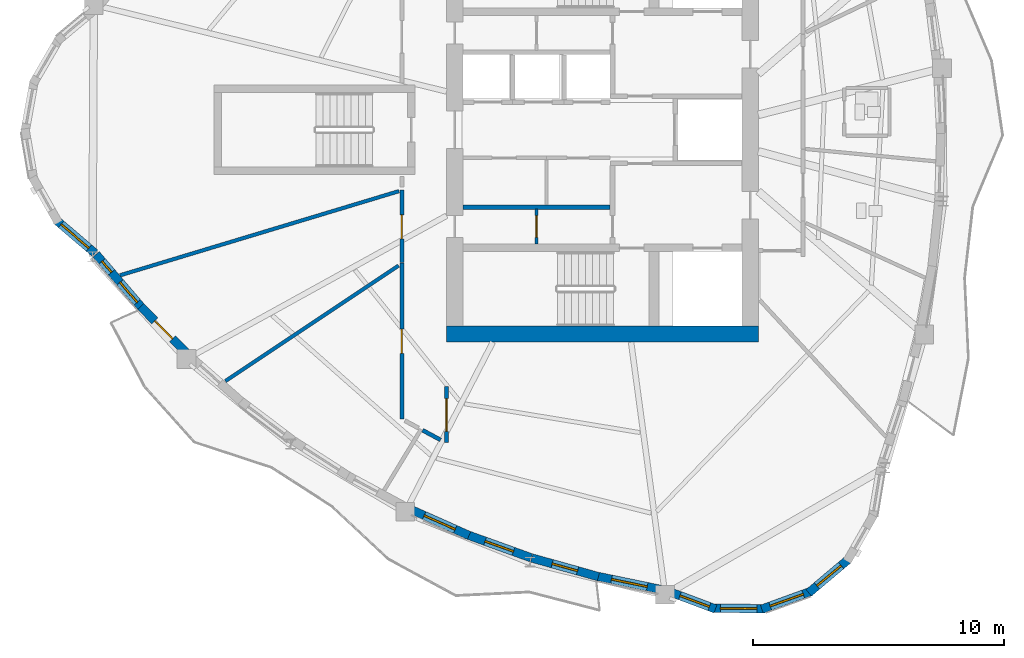
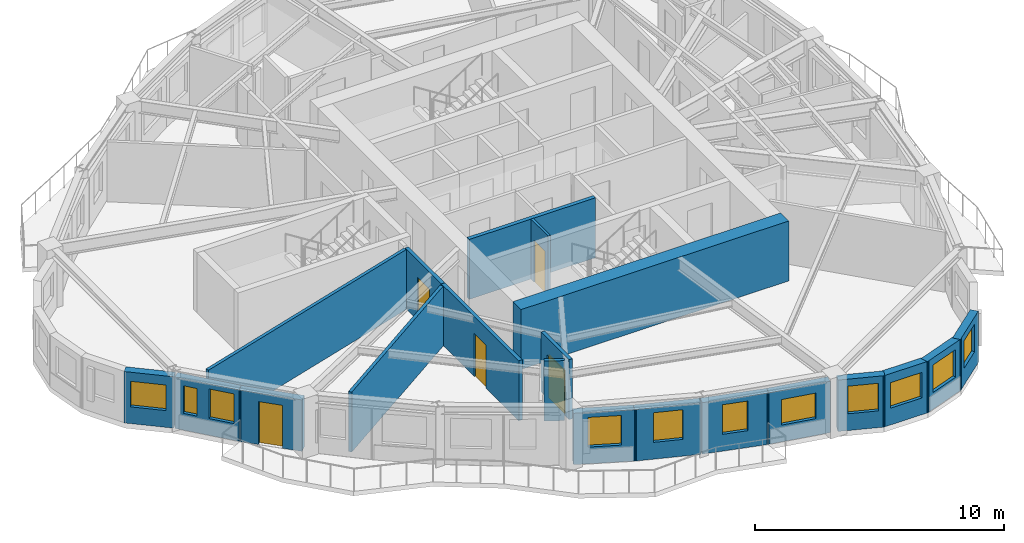
# One storey, part 3 of 12: 20 walls, 11 windows, 5 doors, 16 openings.
"""IFC4 building model written with IfcOpenShell, lengths in metres."""

from ifc_helpers import new_model, si_unit, direction, frame, frame_2d, origin, place, context, subcontext, project, spatial, rectangle, extrude, source, transform, mapped, material, layer, layer_set, type_object, element, fill, save


model = new_model("IFC4")

# Units and contexts
model_context = context("Model", 3, precision=1e-05, world=origin(), true_north=direction((0.0, 1.0)))
body_context = subcontext(model_context, "Body", "Model", "MODEL_VIEW")
ifc_project = project(units=[si_unit("LENGTHUNIT", "METRE"), si_unit("AREAUNIT", "SQUARE_METRE"), si_unit("VOLUMEUNIT", "CUBIC_METRE"), si_unit("PLANEANGLEUNIT", "RADIAN"), si_unit("MASSUNIT", "GRAM", prefix="KILO")], contexts=[model_context])

# Site, building, storey
site_placement = place(None, origin())
site = spatial("IfcSite", under=ifc_project, at=site_placement, CompositionType="ELEMENT")
building_placement = place(site_placement, origin())
building = spatial("IfcBuilding", under=site, at=building_placement, Name="Qafzar Sky-Pleat Residences", CompositionType="ELEMENT")
storey_placement = place(building_placement, frame((0.0, 0.0, 149.0)))
storey = spatial("IfcBuildingStorey", under=building, at=storey_placement, Name="L44", CompositionType="ELEMENT", Elevation=149.0)

# Wall, opening, door
ifc_material_1 = material(Name="Acoustic gypsum plasterboard partition", Category="gypsum")
ifc_layer_1 = layer(ifc_material_1, 0.159912109375)
ifc_layer_set_1 = layer_set([ifc_layer_1], Name="Acoustic gypsum plasterboard partition")
wall_type_1 = type_object("IfcWallType", Name="PART-COR-160", PredefinedType="PARTITIONING", material=ifc_layer_set_1)
wall_1_placement = place(storey_placement, frame((22.3701171875, 14.49609375, 0.0), z_axis=(0.0, 0.0, 1.0), x_axis=(0.0, 1.0, 0.0)))
wall_1 = element("IfcWall", 1, at=wall_1_placement, inside=storey, type_object=wall_type_1, Name="L44 Partition Wall PART-L44-PW-001", PredefinedType="PARTITIONING", context=body_context, shape_type="SweptSolid", body=[
    extrude(rectangle(XDim=6.202880859375, YDim=0.159912109375, at=frame_2d((3.1015625, 0.0))), origin(), (0.0, 0.0, 1.0), 2.93505859375),
])
opening_1_placement = place(wall_1_placement, frame((2.612548828125, 0.0, 0.0)))
opening_1 = element("IfcOpeningElement", 2, at=opening_1_placement, cuts=wall_1, Name="Opening ID-06", PredefinedType="OPENING", context=body_context, shape_type="SweptSolid", body=[
    extrude(rectangle(XDim=0.9599609375, YDim=2.10009765625, at=frame_2d((0.47998046875, 1.050048828125))), frame((0.0, 0.08984375, 0.0), z_axis=(0.0, -1.0, 0.0), x_axis=(1.0, 0.0, 0.0)), (0.0, 0.0, 1.0), 0.179931640625),
])
ifc_material_2 = material(Name="Timber-faced fire door", Category="wood")
door_type_1 = type_object("IfcDoorType", Name="DR-STD-960", OperationType="NOTDEFINED", PredefinedType="DOOR", material=ifc_material_2)
shared_shape_1 = source(origin(), body_context, "Body", "SweptSolid", [
    extrude(rectangle(XDim=0.9599609375, YDim=2.10009765625, at=frame_2d((0.47998046875, 1.050048828125))), frame((0.0, 0.02490234375, 0.0), z_axis=(0.0, -1.0, 0.0), x_axis=(1.0, 0.0, 0.0)), (0.0, 0.0, 1.0), 0.050048828125),
])
door_1_placement = place(opening_1_placement, origin())
door_1 = element("IfcDoor", 3, at=door_1_placement, inside=storey, type_object=door_type_1, Name="L44 Wellness Yoga Studio Door", OperationType="SINGLE_SWING_LEFT", OverallHeight=2.10009765625, OverallWidth=0.9599609375, PredefinedType="DOOR", context=body_context, shape_type="MappedRepresentation", body=[
    mapped(shared_shape_1, transform((0.0, 0.0, 0.0), x_axis=(1.0, 0.0, 0.0), y_axis=(0.0, 1.0, 0.0), z_axis=(0.0, 0.0, 1.0), scale=1.0)),
])
fill(opening_1, door_1)

wall_2_placement = place(storey_placement, frame((22.3701171875, 20.714111328125, 0.0), z_axis=(0.0, 0.0, 1.0), x_axis=(0.0, 1.0, 0.0)))
wall_2 = element("IfcWall", 4, at=wall_2_placement, inside=storey, type_object=wall_type_1, Name="L44 Partition Wall PART-L44-PW-008", PredefinedType="PARTITIONING", context=body_context, shape_type="SweptSolid", body=[
    extrude(rectangle(XDim=2.893798828125, YDim=0.159912109375, at=frame_2d((1.44677734375, 0.0))), origin(), (0.0, 0.0, 1.0), 2.93505859375),
])
opening_2_placement = place(wall_2_placement, frame((0.9423828125, 0.0, 0.0)))
opening_2 = element("IfcOpeningElement", 5, at=opening_2_placement, cuts=wall_2, Name="Opening ID-06", PredefinedType="OPENING", context=body_context, shape_type="SweptSolid", body=[
    extrude(rectangle(XDim=0.9599609375, YDim=2.10009765625, at=frame_2d((0.47998046875, 1.050048828125))), frame((0.0, 0.08984375, 0.0), z_axis=(0.0, -1.0, 0.0), x_axis=(1.0, 0.0, 0.0)), (0.0, 0.0, 1.0), 0.179931640625),
])
door_2_placement = place(opening_2_placement, origin())
door_2 = element("IfcDoor", 6, at=door_2_placement, inside=storey, type_object=door_type_1, Name="L44 Faculty Research Office Door", OperationType="SINGLE_SWING_RIGHT", OverallHeight=2.10009765625, OverallWidth=0.9599609375, PredefinedType="DOOR", context=body_context, shape_type="MappedRepresentation", body=[
    mapped(shared_shape_1, transform((0.0, 0.0, 0.0), x_axis=(1.0, 0.0, 0.0), y_axis=(0.0, 1.0, 0.0), z_axis=(0.0, 0.0, 1.0), scale=1.0)),
])
fill(opening_2, door_2)

wall_3_placement = place(storey_placement, frame((24.14990234375, 15.7880859375, 0.0), z_axis=(0.0, 0.0, 1.0), x_axis=(0.0, -1.0, 0.0)))
wall_3 = element("IfcWall", 7, at=wall_3_placement, inside=storey, type_object=wall_type_1, Name="L44 Partition Wall PART-L44-PW-011", PredefinedType="PARTITIONING", context=body_context, shape_type="SweptSolid", body=[
    extrude(rectangle(XDim=2.231201171875, YDim=0.159912109375, at=frame_2d((1.11572265625, 0.0))), origin(), (0.0, 0.0, 1.0), 2.93505859375),
])
opening_3_placement = place(wall_3_placement, frame((0.47998046875, 0.0, 0.0)))
opening_3 = element("IfcOpeningElement", 8, at=opening_3_placement, cuts=wall_3, Name="Opening ID-05", PredefinedType="OPENING", context=body_context, shape_type="SweptSolid", body=[
    extrude(rectangle(XDim=1.300048828125, YDim=2.10009765625, at=frame_2d((0.64990234375, 1.050048828125))), frame((0.0, 0.08984375, 0.0), z_axis=(0.0, -1.0, 0.0), x_axis=(1.0, 0.0, 0.0)), (0.0, 0.0, 1.0), 0.179931640625),
])
door_type_2 = type_object("IfcDoorType", Name="DR-LNG-1300", OperationType="DOUBLE_DOOR_SINGLE_SWING", PredefinedType="DOOR", material=ifc_material_2)
shared_shape_2 = source(origin(), body_context, "Body", "SweptSolid", [
    extrude(rectangle(XDim=1.300048828125, YDim=2.10009765625, at=frame_2d((0.64990234375, 1.050048828125))), frame((0.0, 0.02490234375, 0.0), z_axis=(0.0, -1.0, 0.0), x_axis=(1.0, 0.0, 0.0)), (0.0, 0.0, 1.0), 0.050048828125),
])
door_3_placement = place(opening_3_placement, origin())
door_3 = element("IfcDoor", 9, at=door_3_placement, inside=storey, type_object=door_type_2, Name="L44 Academic Seminar Room Door", OperationType="DOUBLE_DOOR_SINGLE_SWING", OverallHeight=2.10009765625, OverallWidth=1.300048828125, PredefinedType="DOOR", context=body_context, shape_type="MappedRepresentation", body=[
    mapped(shared_shape_2, transform((0.0, 0.0, 0.0), x_axis=(1.0, 0.0, 0.0), y_axis=(0.0, 1.0, 0.0), z_axis=(0.0, 0.0, 1.0), scale=1.0)),
])
fill(opening_3, door_3)

# Walls
wall_4_placement = place(storey_placement, frame((23.1962890625, 14.0498046875, 0.0), z_axis=(0.0, 0.0, 1.0), x_axis=(0.880125284311, -0.474741491673, 0.0)))
element("IfcWall", 10, at=wall_4_placement, inside=storey, type_object=wall_type_1, Name="L44 Partition Wall PART-L44-PW-040", PredefinedType="PARTITIONING", context=body_context, shape_type="SweptSolid", body=[
    extrude(rectangle(XDim=0.816650390625, YDim=0.159912109375, at=frame_2d((0.408203125, 0.0))), origin(), (0.0, 0.0, 1.0), 2.93505859375),
])
ifc_material_3 = material(Name="Concrete blockwork partition", Category="masonry")
ifc_layer_2 = layer(ifc_material_3, 0.179931640625)
ifc_layer_set_2 = layer_set([ifc_layer_2], Name="Concrete blockwork partition")
wall_type_2 = type_object("IfcWallType", Name="PART-SHAFT-180", PredefinedType="PARTITIONING", material=ifc_layer_set_2)
wall_5_placement = place(storey_placement, frame((24.81005859375, 22.919921875, 0.0), z_axis=(0.0, 0.0, 1.0), x_axis=(1.0, 0.0, 0.0)))
element("IfcWall", 11, at=wall_5_placement, inside=storey, type_object=wall_type_2, Name="L44 Partition Wall PART-L44-P13-S", PredefinedType="PARTITIONING", context=body_context, shape_type="SweptSolid", body=[
    extrude(rectangle(XDim=5.83984375, YDim=0.179931640625, at=frame_2d((2.919921875, 0.0))), origin(), (0.0, 0.0, 1.0), 2.93505859375),
])

# Wall, opening, door
ifc_material_4 = material(Name="Gypsum plasterboard partition", Category="gypsum")
ifc_layer_3 = layer(ifc_material_4, 0.114990234375)
ifc_layer_set_3 = layer_set([ifc_layer_3], Name="Gypsum plasterboard partition")
wall_type_3 = type_object("IfcWallType", Name="PART-SVC-115", PredefinedType="PARTITIONING", material=ifc_layer_set_3)
wall_6_placement = place(storey_placement, frame((27.72509765625, 21.4599609375, 0.0), z_axis=(0.0, 0.0, 1.0), x_axis=(0.0, 1.0, 0.0)))
wall_6 = element("IfcWall", 12, at=wall_6_placement, inside=storey, type_object=wall_type_3, Name="L44 Partition Wall PART-L44-KB-SW", PredefinedType="PARTITIONING", context=body_context, shape_type="SweptSolid", body=[
    extrude(rectangle(XDim=1.380126953125, YDim=0.114990234375, at=frame_2d((0.68994140625, 0.0))), origin(), (0.0, 0.0, 1.0), 2.93505859375),
])
opening_4_placement = place(wall_6_placement, frame((0.260009765625, 0.0, 0.0)))
opening_4 = element("IfcOpeningElement", 13, at=opening_4_placement, cuts=wall_6, Name="Opening ID-09", PredefinedType="OPENING", context=body_context, shape_type="SweptSolid", body=[
    extrude(rectangle(XDim=0.860107421875, YDim=2.050048828125, at=frame_2d((0.43017578125, 1.02490234375))), frame((0.0, 0.0673828125, 0.0), z_axis=(0.0, -1.0, 0.0), x_axis=(1.0, 0.0, 0.0)), (0.0, 0.0, 1.0), 0.135009765625),
])
door_type_3 = type_object("IfcDoorType", Name="DR-SVC-860", OperationType="NOTDEFINED", PredefinedType="DOOR", material=ifc_material_2)
shared_shape_3 = source(origin(), body_context, "Body", "SweptSolid", [
    extrude(rectangle(XDim=0.860107421875, YDim=2.050048828125, at=frame_2d((0.43017578125, 1.02490234375))), frame((0.0, 0.02490234375, 0.0), z_axis=(0.0, -1.0, 0.0), x_axis=(1.0, 0.0, 0.0)), (0.0, 0.0, 1.0), 0.050048828125),
])
door_4_placement = place(opening_4_placement, origin())
door_4 = element("IfcDoor", 14, at=door_4_placement, inside=storey, type_object=door_type_3, Name="L44 BMS Metering Cupboard Door", OperationType="SINGLE_SWING_LEFT", OverallHeight=2.050048828125, OverallWidth=0.860107421875, PredefinedType="DOOR", context=body_context, shape_type="MappedRepresentation", body=[
    mapped(shared_shape_3, transform((0.0, 0.0, 0.0), x_axis=(1.0, 0.0, 0.0), y_axis=(0.0, 1.0, 0.0), z_axis=(0.0, 0.0, 1.0), scale=1.0)),
])
fill(opening_4, door_4)

# Walls
ifc_layer_4 = layer(ifc_material_1, 0.14501953125)
ifc_layer_set_4 = layer_set([ifc_layer_4], Name="Acoustic gypsum plasterboard partition")
wall_type_4 = type_object("IfcWallType", Name="PART-UNIT-145", PredefinedType="PARTITIONING", material=ifc_layer_set_4)
wall_7_placement = place(storey_placement, frame((11.165283203125, 20.210693359375, 0.0), z_axis=(0.0, 0.0, 1.0), x_axis=(0.957361241888, 0.288893496865, 0.0)))
element("IfcWall", 15, at=wall_7_placement, inside=storey, type_object=wall_type_4, Name="L44 Partition Wall PART-L44-PW-015", PredefinedType="PARTITIONING", context=body_context, shape_type="SweptSolid", body=[
    extrude(rectangle(XDim=11.59033203125, YDim=0.14501953125, at=frame_2d((5.795166015625, 0.0))), origin(), (0.0, 0.0, 1.0), 2.93505859375),
])
wall_8_placement = place(storey_placement, frame((15.355224609375, 16.0048828125, 0.0), z_axis=(0.0, 0.0, 1.0), x_axis=(0.83207298021, 0.55466616591, 0.0)))
element("IfcWall", 16, at=wall_8_placement, inside=storey, type_object=wall_type_4, Name="L44 Partition Wall PART-L44-PW-017", PredefinedType="PARTITIONING", context=body_context, shape_type="SweptSolid", body=[
    extrude(rectangle(XDim=8.278076171875, YDim=0.14501953125, at=frame_2d((4.13916015625, 0.0))), origin(), (0.0, 0.0, 1.0), 2.93505859375),
])

# Wall, opening, window
ifc_material_5 = material(Name="Precast concrete C40/50 with honed Riyadh limestone", Category="concrete")
ifc_layer_5 = layer(ifc_material_5, 0.340087890625)
ifc_layer_set_5 = layer_set([ifc_layer_5], Name="Precast concrete C40/50 with honed Riyadh limestone")
wall_type_5 = type_object("IfcWallType", Name="WALL-EXT-340", PredefinedType="SOLIDWALL", material=ifc_layer_set_5)
wall_9_placement = place(storey_placement, frame((8.62744140625, 22.406005859375, 0.0), z_axis=(0.0, 0.0, 1.0), x_axis=(0.760379886087, -0.649478582276, 0.0)))
wall_9 = element("IfcWall", 17, at=wall_9_placement, inside=storey, type_object=wall_type_5, Name="L44 Limestone Facade Wall 6", PredefinedType="SOLIDWALL", context=body_context, shape_type="SweptSolid", body=[
    extrude(rectangle(XDim=2.023193359375, YDim=0.340087890625, at=frame_2d((1.01171875, 0.0))), origin(), (0.0, 0.0, 1.0), 2.514892578125),
])
opening_5_placement = place(wall_9_placement, frame((0.256591796875, 0.0, 0.820068359375)))
opening_5 = element("IfcOpeningElement", 18, at=opening_5_placement, cuts=wall_9, Name="Opening WN-15", PredefinedType="OPENING", context=body_context, shape_type="SweptSolid", body=[
    extrude(rectangle(XDim=1.449951171875, YDim=1.25, at=frame_2d((0.72509765625, 0.625))), frame((0.0, 0.18017578125, 0.0), z_axis=(0.0, -1.0, 0.0), x_axis=(1.0, 0.0, 0.0)), (0.0, 0.0, 1.0), 0.360107421875),
])
ifc_material_6 = material(Name="Solar-control low-E glass in bronze aluminium frame", Category="glass")
window_type_1 = type_object("IfcWindowType", Name="WIN-15", PartitioningType="SINGLE_PANEL", PredefinedType="WINDOW", material=ifc_material_6)
shared_shape_4 = source(origin(), body_context, "Body", "SweptSolid", [
    extrude(rectangle(XDim=1.449951171875, YDim=1.25, at=frame_2d((0.72509765625, 0.625))), frame((0.0, 0.030029296875, 0.0), z_axis=(0.0, -1.0, 0.0), x_axis=(1.0, 0.0, 0.0)), (0.0, 0.0, 1.0), 0.06005859375),
])
window_1_placement = place(opening_5_placement, origin())
window_1 = element("IfcWindow", 19, at=window_1_placement, inside=storey, type_object=window_type_1, Name="L44 Punched Facade Window 06", OverallHeight=1.25, OverallWidth=1.449951171875, PartitioningType="SINGLE_PANEL", PredefinedType="WINDOW", context=body_context, shape_type="MappedRepresentation", body=[
    mapped(shared_shape_4, transform((0.0, 0.0, 0.0), x_axis=(1.0, 0.0, 0.0), y_axis=(0.0, 1.0, 0.0), z_axis=(0.0, 0.0, 1.0), scale=1.0)),
])
fill(opening_5, window_1)

# Wall, openings, windows
wall_10_placement = place(storey_placement, frame((10.212646484375, 21.045166015625, 0.0), z_axis=(0.0, 0.0, 1.0), x_axis=(0.65036245252, -0.759624038819, 0.0)))
wall_10 = element("IfcWall", 20, at=wall_10_placement, inside=storey, type_object=wall_type_5, Name="L44 Limestone Facade Wall 7", PredefinedType="SOLIDWALL", context=body_context, shape_type="SweptSolid", body=[
    extrude(rectangle(XDim=2.813232421875, YDim=0.340087890625, at=frame_2d((1.40673828125, 0.0))), origin(), (0.0, 0.0, 1.0), 2.514892578125),
])
opening_6_placement = place(wall_10_placement, frame((0.362060546875, 0.0, 0.820068359375)))
opening_6 = element("IfcOpeningElement", 21, at=opening_6_placement, cuts=wall_10, Name="Opening WN-17", PredefinedType="OPENING", context=body_context, shape_type="SweptSolid", body=[
    extrude(rectangle(XDim=0.580078125, YDim=1.35009765625, at=frame_2d((0.2900390625, 0.675048828125))), frame((0.0, 0.18017578125, 0.0), z_axis=(0.0, -1.0, 0.0), x_axis=(1.0, 0.0, 0.0)), (0.0, 0.0, 1.0), 0.360107421875),
])
opening_7_placement = place(wall_10_placement, frame((1.46337890625, 0.0, 0.820068359375)))
opening_7 = element("IfcOpeningElement", 22, at=opening_7_placement, cuts=wall_10, Name="Opening WN-06", PredefinedType="OPENING", context=body_context, shape_type="SweptSolid", body=[
    extrude(rectangle(XDim=1.050048828125, YDim=1.449951171875, at=frame_2d((0.52490234375, 0.72509765625))), frame((0.0, 0.18017578125, 0.0), z_axis=(0.0, -1.0, 0.0), x_axis=(1.0, 0.0, 0.0)), (0.0, 0.0, 1.0), 0.360107421875),
])
window_type_2 = type_object("IfcWindowType", Name="WIN-17", PartitioningType="SINGLE_PANEL", PredefinedType="WINDOW", material=ifc_material_6)
shared_shape_5 = source(origin(), body_context, "Body", "SweptSolid", [
    extrude(rectangle(XDim=0.580078125, YDim=1.35009765625, at=frame_2d((0.2900390625, 0.675048828125))), frame((0.0, 0.030029296875, 0.0), z_axis=(0.0, -1.0, 0.0), x_axis=(1.0, 0.0, 0.0)), (0.0, 0.0, 1.0), 0.06005859375),
])
window_2_placement = place(opening_6_placement, origin())
window_2 = element("IfcWindow", 23, at=window_2_placement, inside=storey, type_object=window_type_2, Name="L44 Punched Facade Window 07", OverallHeight=1.35009765625, OverallWidth=0.580078125, PartitioningType="SINGLE_PANEL", PredefinedType="WINDOW", context=body_context, shape_type="MappedRepresentation", body=[
    mapped(shared_shape_5, transform((0.0, 0.0, 0.0), x_axis=(1.0, 0.0, 0.0), y_axis=(0.0, 1.0, 0.0), z_axis=(0.0, 0.0, 1.0), scale=1.0)),
])
fill(opening_6, window_2)
window_type_3 = type_object("IfcWindowType", Name="WIN-06", PartitioningType="SINGLE_PANEL", PredefinedType="WINDOW", material=ifc_material_6)
shared_shape_6 = source(origin(), body_context, "Body", "SweptSolid", [
    extrude(rectangle(XDim=1.050048828125, YDim=1.449951171875, at=frame_2d((0.52490234375, 0.72509765625))), frame((0.0, 0.030029296875, 0.0), z_axis=(0.0, -1.0, 0.0), x_axis=(1.0, 0.0, 0.0)), (0.0, 0.0, 1.0), 0.06005859375),
])
window_3_placement = place(opening_7_placement, origin())
window_3 = element("IfcWindow", 24, at=window_3_placement, inside=storey, type_object=window_type_3, Name="L44 Punched Facade Window 07-2", OverallHeight=1.449951171875, OverallWidth=1.050048828125, PartitioningType="SINGLE_PANEL", PredefinedType="WINDOW", context=body_context, shape_type="MappedRepresentation", body=[
    mapped(shared_shape_6, transform((0.0, 0.0, 0.0), x_axis=(1.0, 0.0, 0.0), y_axis=(0.0, 1.0, 0.0), z_axis=(0.0, 0.0, 1.0), scale=1.0)),
])
fill(opening_7, window_3)

# Wall, opening, door
wall_11_placement = place(storey_placement, frame((11.98291015625, 18.972900390625, 0.0), z_axis=(0.0, 0.0, 1.0), x_axis=(0.701539452628, -0.712630617084, 0.0)))
wall_11 = element("IfcWall", 25, at=wall_11_placement, inside=storey, type_object=wall_type_5, Name="L44 Limestone Facade Wall 8", PredefinedType="SOLIDWALL", context=body_context, shape_type="SweptSolid", body=[
    extrude(rectangle(XDim=2.619384765625, YDim=0.340087890625, at=frame_2d((1.3095703125, 0.0))), origin(), (0.0, 0.0, 1.0), 2.514892578125),
])
opening_8_placement = place(wall_11_placement, frame((0.809814453125, 0.0, 0.0)))
opening_8 = element("IfcOpeningElement", 26, at=opening_8_placement, cuts=wall_11, Name="Opening ED-05", PredefinedType="OPENING", context=body_context, shape_type="SweptSolid", body=[
    extrude(rectangle(XDim=1.0, YDim=2.10009765625, at=frame_2d((0.5, 1.050048828125))), frame((0.0, 0.18017578125, 0.0), z_axis=(0.0, -1.0, 0.0), x_axis=(1.0, 0.0, 0.0)), (0.0, 0.0, 1.0), 0.360107421875),
])
ifc_material_7 = material(Name="Glazed bronze aluminium door", Category="aluminium")
door_type_4 = type_object("IfcDoorType", Name="DR-BAL-1000", OperationType="NOTDEFINED", PredefinedType="DOOR", material=ifc_material_7)
shared_shape_7 = source(origin(), body_context, "Body", "SweptSolid", [
    extrude(rectangle(XDim=1.0, YDim=2.10009765625, at=frame_2d((0.5, 1.050048828125))), frame((0.0, 0.02490234375, 0.0), z_axis=(0.0, -1.0, 0.0), x_axis=(1.0, 0.0, 0.0)), (0.0, 0.0, 1.0), 0.050048828125),
])
door_5_placement = place(opening_8_placement, origin())
door_5 = element("IfcDoor", 27, at=door_5_placement, inside=storey, type_object=door_type_4, Name="L44 Glazed Balcony Door 3", OperationType="SINGLE_SWING_LEFT", OverallHeight=2.10009765625, OverallWidth=1.0, PredefinedType="DOOR", context=body_context, shape_type="MappedRepresentation", body=[
    mapped(shared_shape_7, transform((0.0, 0.0, 0.0), x_axis=(1.0, 0.0, 0.0), y_axis=(0.0, 1.0, 0.0), z_axis=(0.0, 0.0, 1.0), scale=1.0)),
])
fill(opening_8, door_5)

# Wall, opening, window
wall_12_placement = place(storey_placement, frame((22.72021484375, 10.898681640625, 0.0), z_axis=(0.0, 0.0, 1.0), x_axis=(0.913229052506, -0.407446558041, 0.0)))
wall_12 = element("IfcWall", 28, at=wall_12_placement, inside=storey, type_object=wall_type_5, Name="L44 Limestone Facade Wall 13", PredefinedType="SOLIDWALL", context=body_context, shape_type="SweptSolid", body=[
    extrude(rectangle(XDim=2.544677734375, YDim=0.340087890625, at=frame_2d((1.2724609375, 0.0))), origin(), (0.0, 0.0, 1.0), 2.514892578125),
])
opening_9_placement = place(wall_12_placement, frame((0.59228515625, 0.0, 0.820068359375)))
opening_9 = element("IfcOpeningElement", 29, at=opening_9_placement, cuts=wall_12, Name="Opening WN-04", PredefinedType="OPENING", context=body_context, shape_type="SweptSolid", body=[
    extrude(rectangle(XDim=1.35009765625, YDim=1.449951171875, at=frame_2d((0.675048828125, 0.72509765625))), frame((0.0, 0.18017578125, 0.0), z_axis=(0.0, -1.0, 0.0), x_axis=(1.0, 0.0, 0.0)), (0.0, 0.0, 1.0), 0.360107421875),
])
window_type_4 = type_object("IfcWindowType", Name="WIN-04", PartitioningType="SINGLE_PANEL", PredefinedType="WINDOW", material=ifc_material_6)
shared_shape_8 = source(origin(), body_context, "Body", "SweptSolid", [
    extrude(rectangle(XDim=1.35009765625, YDim=1.449951171875, at=frame_2d((0.675048828125, 0.72509765625))), frame((0.0, 0.030029296875, 0.0), z_axis=(0.0, -1.0, 0.0), x_axis=(1.0, 0.0, 0.0)), (0.0, 0.0, 1.0), 0.06005859375),
])
window_4_placement = place(opening_9_placement, origin())
window_4 = element("IfcWindow", 30, at=window_4_placement, inside=storey, type_object=window_type_4, Name="L44 Punched Facade Window 13", OverallHeight=1.449951171875, OverallWidth=1.35009765625, PartitioningType="SINGLE_PANEL", PredefinedType="WINDOW", context=body_context, shape_type="MappedRepresentation", body=[
    mapped(shared_shape_8, transform((0.0, 0.0, 0.0), x_axis=(1.0, 0.0, 0.0), y_axis=(0.0, 1.0, 0.0), z_axis=(0.0, 0.0, 1.0), scale=1.0)),
])
fill(opening_9, window_4)

wall_13_placement = place(storey_placement, frame((24.9619140625, 9.894775390625, 0.0), z_axis=(0.0, 0.0, 1.0), x_axis=(0.940882818042, -0.338732228632, 0.0)))
wall_13 = element("IfcWall", 31, at=wall_13_placement, inside=storey, type_object=wall_type_5, Name="L44 Limestone Facade Wall 14", PredefinedType="SOLIDWALL", context=body_context, shape_type="SweptSolid", body=[
    extrude(rectangle(XDim=2.7099609375, YDim=0.340087890625, at=frame_2d((1.35498046875, 0.0))), origin(), (0.0, 0.0, 1.0), 2.514892578125),
])
opening_10_placement = place(wall_13_placement, frame((0.764892578125, 0.0, 0.820068359375)))
opening_10 = element("IfcOpeningElement", 32, at=opening_10_placement, cuts=wall_13, Name="Opening WN-05", PredefinedType="OPENING", context=body_context, shape_type="SweptSolid", body=[
    extrude(rectangle(XDim=1.199951171875, YDim=1.449951171875, at=frame_2d((0.60009765625, 0.72509765625))), frame((0.0, 0.18017578125, 0.0), z_axis=(0.0, -1.0, 0.0), x_axis=(1.0, 0.0, 0.0)), (0.0, 0.0, 1.0), 0.360107421875),
])
window_type_5 = type_object("IfcWindowType", Name="WIN-05", PartitioningType="SINGLE_PANEL", PredefinedType="WINDOW", material=ifc_material_6)
shared_shape_9 = source(origin(), body_context, "Body", "SweptSolid", [
    extrude(rectangle(XDim=1.199951171875, YDim=1.449951171875, at=frame_2d((0.60009765625, 0.72509765625))), frame((0.0, 0.030029296875, 0.0), z_axis=(0.0, -1.0, 0.0), x_axis=(1.0, 0.0, 0.0)), (0.0, 0.0, 1.0), 0.06005859375),
])
window_5_placement = place(opening_10_placement, origin())
window_5 = element("IfcWindow", 33, at=window_5_placement, inside=storey, type_object=window_type_5, Name="L44 Punched Facade Window 14", OverallHeight=1.449951171875, OverallWidth=1.199951171875, PartitioningType="SINGLE_PANEL", PredefinedType="WINDOW", context=body_context, shape_type="MappedRepresentation", body=[
    mapped(shared_shape_9, transform((0.0, 0.0, 0.0), x_axis=(1.0, 0.0, 0.0), y_axis=(0.0, 1.0, 0.0), z_axis=(0.0, 0.0, 1.0), scale=1.0)),
])
fill(opening_10, window_5)

wall_14_placement = place(storey_placement, frame((27.5380859375, 8.968505859375, 0.0), z_axis=(0.0, 0.0, 1.0), x_axis=(0.962899562324, -0.2698600246, 0.0)))
wall_14 = element("IfcWall", 34, at=wall_14_placement, inside=storey, type_object=wall_type_5, Name="L44 Limestone Facade Wall 15", PredefinedType="SOLIDWALL", context=body_context, shape_type="SweptSolid", body=[
    extrude(rectangle(XDim=2.7548828125, YDim=0.340087890625, at=frame_2d((1.37744140625, 0.0))), origin(), (0.0, 0.0, 1.0), 2.514892578125),
])
opening_11_placement = place(wall_14_placement, frame((0.84228515625, 0.0, 0.820068359375)))
opening_11 = element("IfcOpeningElement", 35, at=opening_11_placement, cuts=wall_14, Name="Opening WN-06", PredefinedType="OPENING", context=body_context, shape_type="SweptSolid", body=[
    extrude(rectangle(XDim=1.050048828125, YDim=1.449951171875, at=frame_2d((0.52490234375, 0.72509765625))), frame((0.0, 0.18017578125, 0.0), z_axis=(0.0, -1.0, 0.0), x_axis=(1.0, 0.0, 0.0)), (0.0, 0.0, 1.0), 0.360107421875),
])
window_6_placement = place(opening_11_placement, origin())
window_6 = element("IfcWindow", 36, at=window_6_placement, inside=storey, type_object=window_type_3, Name="L44 Punched Facade Window 15", OverallHeight=1.449951171875, OverallWidth=1.050048828125, PartitioningType="SINGLE_PANEL", PredefinedType="WINDOW", context=body_context, shape_type="MappedRepresentation", body=[
    mapped(shared_shape_6, transform((0.0, 0.0, 0.0), x_axis=(1.0, 0.0, 0.0), y_axis=(0.0, 1.0, 0.0), z_axis=(0.0, 0.0, 1.0), scale=1.0)),
])
fill(opening_11, window_6)

wall_15_placement = place(storey_placement, frame((30.105224609375, 8.245849609375, 0.0), z_axis=(0.0, 0.0, 1.0), x_axis=(0.979327098925, -0.202283052454, 0.0)))
wall_15 = element("IfcWall", 37, at=wall_15_placement, inside=storey, type_object=wall_type_5, Name="L44 Limestone Facade Wall 16", PredefinedType="SOLIDWALL", context=body_context, shape_type="SweptSolid", body=[
    extrude(rectangle(XDim=2.67822265625, YDim=0.340087890625, at=frame_2d((1.339111328125, 0.0))), origin(), (0.0, 0.0, 1.0), 2.514892578125),
])
opening_12_placement = place(wall_15_placement, frame((0.619140625, 0.0, 0.820068359375)))
opening_12 = element("IfcOpeningElement", 38, at=opening_12_placement, cuts=wall_15, Name="Opening WN-15", PredefinedType="OPENING", context=body_context, shape_type="SweptSolid", body=[
    extrude(rectangle(XDim=1.449951171875, YDim=1.25, at=frame_2d((0.72509765625, 0.625))), frame((0.0, 0.18017578125, 0.0), z_axis=(0.0, -1.0, 0.0), x_axis=(1.0, 0.0, 0.0)), (0.0, 0.0, 1.0), 0.360107421875),
])
window_7_placement = place(opening_12_placement, origin())
window_7 = element("IfcWindow", 39, at=window_7_placement, inside=storey, type_object=window_type_1, Name="L44 Punched Facade Window 16", OverallHeight=1.25, OverallWidth=1.449951171875, PartitioningType="SINGLE_PANEL", PredefinedType="WINDOW", context=body_context, shape_type="MappedRepresentation", body=[
    mapped(shared_shape_4, transform((0.0, 0.0, 0.0), x_axis=(1.0, 0.0, 0.0), y_axis=(0.0, 1.0, 0.0), z_axis=(0.0, 0.0, 1.0), scale=1.0)),
])
fill(opening_12, window_7)

wall_16_placement = place(storey_placement, frame((33.050048828125, 7.611328125, 0.0), z_axis=(0.0, 0.0, 1.0), x_axis=(0.936898854489, -0.349600538411, 0.0)))
wall_16 = element("IfcWall", 40, at=wall_16_placement, inside=storey, type_object=wall_type_5, Name="L44 Limestone Facade Wall 17", PredefinedType="SOLIDWALL", context=body_context, shape_type="SweptSolid", body=[
    extrude(rectangle(XDim=1.91552734375, YDim=0.340087890625, at=frame_2d((0.957763671875, 0.0))), origin(), (0.0, 0.0, 1.0), 2.514892578125),
])
opening_13_placement = place(wall_16_placement, frame((0.40771484375, 0.0, 0.820068359375)))
opening_13 = element("IfcOpeningElement", 41, at=opening_13_placement, cuts=wall_16, Name="Opening WN-11", PredefinedType="OPENING", context=body_context, shape_type="SweptSolid", body=[
    extrude(rectangle(XDim=1.25, YDim=1.35009765625, at=frame_2d((0.625, 0.675048828125))), frame((0.0, 0.18017578125, 0.0), z_axis=(0.0, -1.0, 0.0), x_axis=(1.0, 0.0, 0.0)), (0.0, 0.0, 1.0), 0.360107421875),
])
window_type_6 = type_object("IfcWindowType", Name="WIN-11", PartitioningType="SINGLE_PANEL", PredefinedType="WINDOW", material=ifc_material_6)
shared_shape_10 = source(origin(), body_context, "Body", "SweptSolid", [
    extrude(rectangle(XDim=1.25, YDim=1.35009765625, at=frame_2d((0.625, 0.675048828125))), frame((0.0, 0.030029296875, 0.0), z_axis=(0.0, -1.0, 0.0), x_axis=(1.0, 0.0, 0.0)), (0.0, 0.0, 1.0), 0.06005859375),
])
window_8_placement = place(opening_13_placement, origin())
window_8 = element("IfcWindow", 42, at=window_8_placement, inside=storey, type_object=window_type_6, Name="L44 Punched Facade Window 17", OverallHeight=1.35009765625, OverallWidth=1.25, PartitioningType="SINGLE_PANEL", PredefinedType="WINDOW", context=body_context, shape_type="MappedRepresentation", body=[
    mapped(shared_shape_10, transform((0.0, 0.0, 0.0), x_axis=(1.0, 0.0, 0.0), y_axis=(0.0, 1.0, 0.0), z_axis=(0.0, 0.0, 1.0), scale=1.0)),
])
fill(opening_13, window_8)

wall_17_placement = place(storey_placement, frame((34.712646484375, 6.9658203125, 0.0), z_axis=(0.0, 0.0, 1.0), x_axis=(0.999988733097, -0.004746965157, 0.0)))
wall_17 = element("IfcWall", 43, at=wall_17_placement, inside=storey, type_object=wall_type_5, Name="L44 Limestone Facade Wall 18", PredefinedType="SOLIDWALL", context=body_context, shape_type="SweptSolid", body=[
    extrude(rectangle(XDim=2.108642578125, YDim=0.340087890625, at=frame_2d((1.05419921875, 0.0))), origin(), (0.0, 0.0, 1.0), 2.514892578125),
])
opening_14_placement = place(wall_17_placement, frame((0.329345703125, 0.0, 0.820068359375)))
opening_14 = element("IfcOpeningElement", 44, at=opening_14_placement, cuts=wall_17, Name="Opening WN-15", PredefinedType="OPENING", context=body_context, shape_type="SweptSolid", body=[
    extrude(rectangle(XDim=1.449951171875, YDim=1.25, at=frame_2d((0.72509765625, 0.625))), frame((0.0, 0.18017578125, 0.0), z_axis=(0.0, -1.0, 0.0), x_axis=(1.0, 0.0, 0.0)), (0.0, 0.0, 1.0), 0.360107421875),
])
window_9_placement = place(opening_14_placement, origin())
window_9 = element("IfcWindow", 45, at=window_9_placement, inside=storey, type_object=window_type_1, Name="L44 Punched Facade Window 18", OverallHeight=1.25, OverallWidth=1.449951171875, PartitioningType="SINGLE_PANEL", PredefinedType="WINDOW", context=body_context, shape_type="MappedRepresentation", body=[
    mapped(shared_shape_4, transform((0.0, 0.0, 0.0), x_axis=(1.0, 0.0, 0.0), y_axis=(0.0, 1.0, 0.0), z_axis=(0.0, 0.0, 1.0), scale=1.0)),
])
fill(opening_14, window_9)

wall_18_placement = place(storey_placement, frame((36.68896484375, 6.932861328125, 0.0), z_axis=(0.0, 0.0, 1.0), x_axis=(0.94022877886, 0.340543453033, 0.0)))
wall_18 = element("IfcWall", 46, at=wall_18_placement, inside=storey, type_object=wall_type_5, Name="L44 Limestone Facade Wall 19", PredefinedType="SOLIDWALL", context=body_context, shape_type="SweptSolid", body=[
    extrude(rectangle(XDim=2.1083984375, YDim=0.340087890625, at=frame_2d((1.05419921875, 0.0))), origin(), (0.0, 0.0, 1.0), 2.514892578125),
])
opening_15_placement = place(wall_18_placement, frame((0.354248046875, 0.0, 0.820068359375)))
opening_15 = element("IfcOpeningElement", 47, at=opening_15_placement, cuts=wall_18, Name="Opening WN-10", PredefinedType="OPENING", context=body_context, shape_type="SweptSolid", body=[
    extrude(rectangle(XDim=1.39990234375, YDim=1.35009765625, at=frame_2d((0.699951171875, 0.675048828125))), frame((0.0, 0.18017578125, 0.0), z_axis=(0.0, -1.0, 0.0), x_axis=(1.0, 0.0, 0.0)), (0.0, 0.0, 1.0), 0.360107421875),
])
window_type_7 = type_object("IfcWindowType", Name="WIN-10", PartitioningType="SINGLE_PANEL", PredefinedType="WINDOW", material=ifc_material_6)
shared_shape_11 = source(origin(), body_context, "Body", "SweptSolid", [
    extrude(rectangle(XDim=1.39990234375, YDim=1.35009765625, at=frame_2d((0.699951171875, 0.675048828125))), frame((0.0, 0.030029296875, 0.0), z_axis=(0.0, -1.0, 0.0), x_axis=(1.0, 0.0, 0.0)), (0.0, 0.0, 1.0), 0.06005859375),
])
window_10_placement = place(opening_15_placement, origin())
window_10 = element("IfcWindow", 48, at=window_10_placement, inside=storey, type_object=window_type_7, Name="L44 Punched Facade Window 19", OverallHeight=1.35009765625, OverallWidth=1.39990234375, PartitioningType="SINGLE_PANEL", PredefinedType="WINDOW", context=body_context, shape_type="MappedRepresentation", body=[
    mapped(shared_shape_11, transform((0.0, 0.0, 0.0), x_axis=(1.0, 0.0, 0.0), y_axis=(0.0, 1.0, 0.0), z_axis=(0.0, 0.0, 1.0), scale=1.0)),
])
fill(opening_15, window_10)

wall_19_placement = place(storey_placement, frame((38.55517578125, 7.58349609375, 0.0), z_axis=(0.0, 0.0, 1.0), x_axis=(0.764956232097, 0.644082264137, 0.0)))
wall_19 = element("IfcWall", 49, at=wall_19_placement, inside=storey, type_object=wall_type_5, Name="L44 Limestone Facade Wall 20", PredefinedType="SOLIDWALL", context=body_context, shape_type="SweptSolid", body=[
    extrude(rectangle(XDim=2.108642578125, YDim=0.340087890625, at=frame_2d((1.05419921875, 0.0))), origin(), (0.0, 0.0, 1.0), 2.514892578125),
])
opening_16_placement = place(wall_19_placement, frame((0.42919921875, 0.0, 0.820068359375)))
opening_16 = element("IfcOpeningElement", 50, at=opening_16_placement, cuts=wall_19, Name="Opening WN-11", PredefinedType="OPENING", context=body_context, shape_type="SweptSolid", body=[
    extrude(rectangle(XDim=1.25, YDim=1.35009765625, at=frame_2d((0.625, 0.675048828125))), frame((0.0, 0.18017578125, 0.0), z_axis=(0.0, -1.0, 0.0), x_axis=(1.0, 0.0, 0.0)), (0.0, 0.0, 1.0), 0.360107421875),
])
window_11_placement = place(opening_16_placement, origin())
window_11 = element("IfcWindow", 51, at=window_11_placement, inside=storey, type_object=window_type_6, Name="L44 Punched Facade Window 20", OverallHeight=1.35009765625, OverallWidth=1.25, PartitioningType="SINGLE_PANEL", PredefinedType="WINDOW", context=body_context, shape_type="MappedRepresentation", body=[
    mapped(shared_shape_10, transform((0.0, 0.0, 0.0), x_axis=(1.0, 0.0, 0.0), y_axis=(0.0, 1.0, 0.0), z_axis=(0.0, 0.0, 1.0), scale=1.0)),
])
fill(opening_16, window_11)

# Wall
ifc_material_8 = material(Name="Concrete C60/75", Category="concrete")
ifc_layer_6 = layer(ifc_material_8, 0.64990234375)
ifc_layer_set_6 = layer_set([ifc_layer_6], Name="Concrete C60/75")
wall_type_6 = type_object("IfcWallType", Name="WALL-SHEAR-650", PredefinedType="SHEAR", material=ifc_layer_set_6)
wall_20_placement = place(storey_placement, frame((24.14990234375, 17.875, 0.0), z_axis=(0.0, 0.0, 1.0), x_axis=(1.0, 0.0, 0.0)))
element("IfcWall", 52, at=wall_20_placement, inside=storey, type_object=wall_type_6, Name="L44 CORE wall S", PredefinedType="SHEAR", context=body_context, shape_type="SweptSolid", body=[
    extrude(rectangle(XDim=12.400146484375, YDim=0.64990234375, at=frame_2d((6.2001953125, 0.0))), origin(), (0.0, 0.0, 1.0), 2.93505859375),
])

save(model, "model.ifc")
